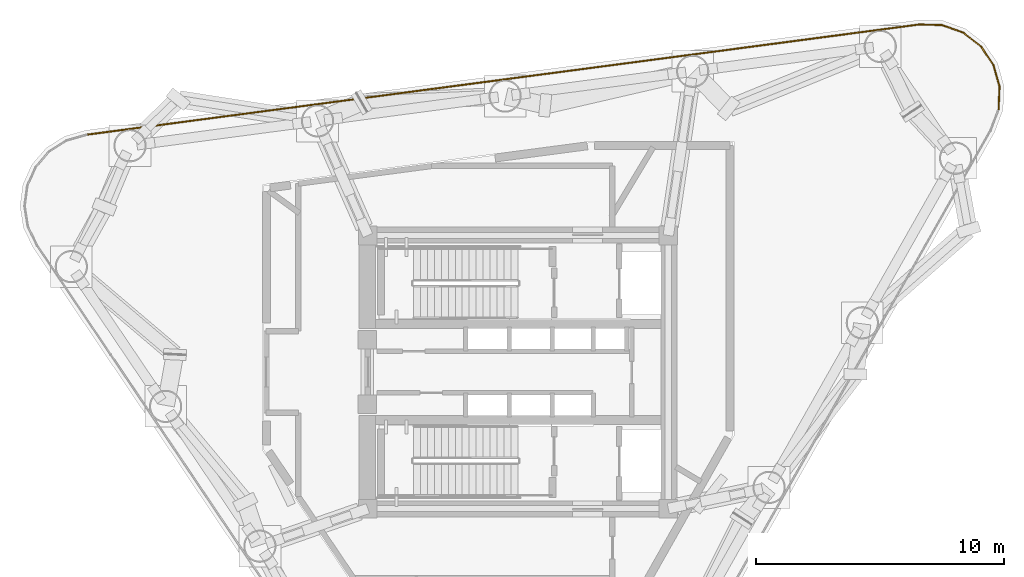
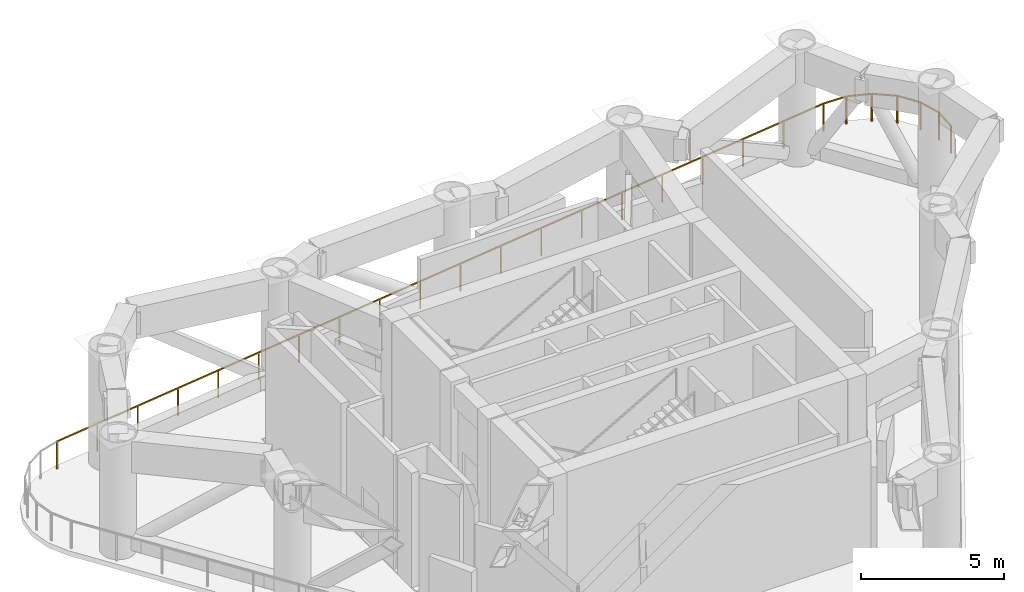
# One storey, part 10 of 10: 7 railings.
"""IFC4 building model written with IfcOpenShell, lengths in metres."""

from ifc_helpers import new_model, si_unit, direction, frame, origin, origin_2d, place, context, subcontext, project, spatial, rectangle, extrude, material, type_object, element, save


model = new_model("IFC4")

# Units and contexts
model_context = context("Model", 3, precision=1e-05, world=origin(), true_north=direction((0.0, 1.0)))
body_context = subcontext(model_context, "Body", "Model", "MODEL_VIEW")
ifc_project = project(units=[si_unit("LENGTHUNIT", "METRE"), si_unit("AREAUNIT", "SQUARE_METRE"), si_unit("VOLUMEUNIT", "CUBIC_METRE"), si_unit("PLANEANGLEUNIT", "RADIAN"), si_unit("MASSUNIT", "GRAM", prefix="KILO")], contexts=[model_context])

# Site, building, storey
site_placement = place(None, origin())
site = spatial("IfcSite", under=ifc_project, at=site_placement, CompositionType="ELEMENT")
building_placement = place(site_placement, origin())
building = spatial("IfcBuilding", under=site, at=building_placement, Name="Yunling Apex Tower", CompositionType="ELEMENT")
storey_placement = place(building_placement, frame((0.0, 0.0, 186.35009765625)))
storey = spatial("IfcBuildingStorey", under=building, at=storey_placement, Name="RF5", CompositionType="ELEMENT", Elevation=186.35009765625)

# Railings
ifc_material = material(Name="Bronze anodised aluminium", Category="aluminium")
railing_type = type_object("IfcRailingType", Name="RL-BAL-1200", PredefinedType="BALUSTRADE", material=ifc_material)
railing_1_placement = place(storey_placement, frame((-17.400390625, 9.555908203125, 0.0)))
element("IfcRailing", 1, at=railing_1_placement, inside=storey, type_object=railing_type, Name="RL-REF-RF5-09", PredefinedType="BALUSTRADE", context=body_context, shape_type="SweptSolid", body=[
    extrude(rectangle(XDim=0.0439453125, YDim=0.0439453125, at=origin_2d()), origin(), (0.0, 0.0, 1.0), 1.199951171875),
    extrude(rectangle(XDim=0.0439453125, YDim=0.0439453125, at=origin_2d()), frame((33.578857421875, 4.444580078125, 0.0)), (0.0, 0.0, 1.0), 1.199951171875),
    extrude(rectangle(XDim=0.050048828125, YDim=0.050048828125, at=origin_2d()), frame((0.0380859375, 0.005126953125, 1.1748046875), z_axis=(0.991353538859, 0.131217990351, 0.0), x_axis=(-0.131217990351, 0.991353538859, 0.0)), (0.0, 0.0, 1.0), 33.795166015625),
    extrude(rectangle(XDim=0.0439453125, YDim=0.0439453125, at=origin_2d()), frame((1.767333984375, 0.23388671875, 0.0)), (0.0, 0.0, 1.0), 1.14599609375),
    extrude(rectangle(XDim=0.0439453125, YDim=0.0439453125, at=origin_2d()), frame((3.53466796875, 0.4677734375, 0.0)), (0.0, 0.0, 1.0), 1.14599609375),
    extrude(rectangle(XDim=0.0439453125, YDim=0.0439453125, at=origin_2d()), frame((5.302001953125, 0.70166015625, 0.0)), (0.0, 0.0, 1.0), 1.14599609375),
    extrude(rectangle(XDim=0.0439453125, YDim=0.0439453125, at=origin_2d()), frame((7.0693359375, 0.935791015625, 0.0)), (0.0, 0.0, 1.0), 1.14599609375),
    extrude(rectangle(XDim=0.0439453125, YDim=0.0439453125, at=origin_2d()), frame((8.83642578125, 1.169677734375, 0.0)), (0.0, 0.0, 1.0), 1.14599609375),
    extrude(rectangle(XDim=0.0439453125, YDim=0.0439453125, at=origin_2d()), frame((10.603759765625, 1.403564453125, 0.0)), (0.0, 0.0, 1.0), 1.14599609375),
    extrude(rectangle(XDim=0.0439453125, YDim=0.0439453125, at=origin_2d()), frame((12.37109375, 1.637451171875, 0.0)), (0.0, 0.0, 1.0), 1.14599609375),
    extrude(rectangle(XDim=0.0439453125, YDim=0.0439453125, at=origin_2d()), frame((14.138427734375, 1.871337890625, 0.0)), (0.0, 0.0, 1.0), 1.14599609375),
    extrude(rectangle(XDim=0.0439453125, YDim=0.0439453125, at=origin_2d()), frame((15.90576171875, 2.105224609375, 0.0)), (0.0, 0.0, 1.0), 1.14599609375),
    extrude(rectangle(XDim=0.0439453125, YDim=0.0439453125, at=origin_2d()), frame((17.673095703125, 2.33935546875, 0.0)), (0.0, 0.0, 1.0), 1.14599609375),
    extrude(rectangle(XDim=0.0439453125, YDim=0.0439453125, at=origin_2d()), frame((19.4404296875, 2.5732421875, 0.0)), (0.0, 0.0, 1.0), 1.14599609375),
    extrude(rectangle(XDim=0.0439453125, YDim=0.0439453125, at=origin_2d()), frame((21.207763671875, 2.80712890625, 0.0)), (0.0, 0.0, 1.0), 1.14599609375),
    extrude(rectangle(XDim=0.0439453125, YDim=0.0439453125, at=origin_2d()), frame((22.97509765625, 3.041015625, 0.0)), (0.0, 0.0, 1.0), 1.14599609375),
    extrude(rectangle(XDim=0.0439453125, YDim=0.0439453125, at=origin_2d()), frame((24.742431640625, 3.27490234375, 0.0)), (0.0, 0.0, 1.0), 1.14599609375),
    extrude(rectangle(XDim=0.0439453125, YDim=0.0439453125, at=origin_2d()), frame((26.509521484375, 3.5087890625, 0.0)), (0.0, 0.0, 1.0), 1.14599609375),
    extrude(rectangle(XDim=0.0439453125, YDim=0.0439453125, at=origin_2d()), frame((28.27685546875, 3.742919921875, 0.0)), (0.0, 0.0, 1.0), 1.14599609375),
    extrude(rectangle(XDim=0.0439453125, YDim=0.0439453125, at=origin_2d()), frame((30.044189453125, 3.976806640625, 0.0)), (0.0, 0.0, 1.0), 1.14599609375),
    extrude(rectangle(XDim=0.0439453125, YDim=0.0439453125, at=origin_2d()), frame((31.8115234375, 4.210693359375, 0.0)), (0.0, 0.0, 1.0), 1.14599609375),
])
railing_2_placement = place(storey_placement, frame((16.148681640625, 13.9990234375, 0.0)))
element("IfcRailing", 2, at=railing_2_placement, inside=storey, type_object=railing_type, Name="RL-REF-RF5-10", PredefinedType="BALUSTRADE", context=body_context, shape_type="SweptSolid", body=[
    extrude(rectangle(XDim=0.0439453125, YDim=0.0439453125, at=origin_2d()), origin(), (0.0, 0.0, 1.0), 1.199951171875),
    extrude(rectangle(XDim=0.0439453125, YDim=0.0439453125, at=origin_2d()), frame((0.94580078125, -0.025390625, 0.0)), (0.0, 0.0, 1.0), 1.199951171875),
    extrude(rectangle(XDim=0.050048828125, YDim=0.050048828125, at=origin_2d()), frame((0.038330078125, -0.0009765625, 1.1748046875), z_axis=(0.999639850526, -0.026835969142, 0.0), x_axis=(0.026835969142, 0.999639850526, 0.0)), (0.0, 0.0, 1.0), 0.869384765625),
])
railing_3_placement = place(storey_placement, frame((17.0654296875, 13.97900390625, 0.0)))
element("IfcRailing", 3, at=railing_3_placement, inside=storey, type_object=railing_type, Name="RL-REF-RF5-11", PredefinedType="BALUSTRADE", context=body_context, shape_type="SweptSolid", body=[
    extrude(rectangle(XDim=0.0439453125, YDim=0.0439453125, at=origin_2d()), origin(), (0.0, 0.0, 1.0), 1.199951171875),
    extrude(rectangle(XDim=0.0439453125, YDim=0.0439453125, at=origin_2d()), frame((0.877197265625, -0.313720703125, 0.0)), (0.0, 0.0, 1.0), 1.199951171875),
    extrude(rectangle(XDim=0.050048828125, YDim=0.050048828125, at=origin_2d()), frame((0.0361328125, -0.012939453125, 1.1748046875), z_axis=(0.941593594268, -0.336751396781, 0.0), x_axis=(0.336751396781, 0.941593594268, 0.0)), (0.0, 0.0, 1.0), 0.85498046875),
])
railing_4_placement = place(storey_placement, frame((17.91650390625, 13.679443359375, 0.0)))
element("IfcRailing", 4, at=railing_4_placement, inside=storey, type_object=railing_type, Name="RL-REF-RF5-12", PredefinedType="BALUSTRADE", context=body_context, shape_type="SweptSolid", body=[
    extrude(rectangle(XDim=0.0439453125, YDim=0.0439453125, at=origin_2d()), origin(), (0.0, 0.0, 1.0), 1.199951171875),
    extrude(rectangle(XDim=0.0439453125, YDim=0.0439453125, at=origin_2d()), frame((0.73583984375, -0.571533203125, 0.0)), (0.0, 0.0, 1.0), 1.199951171875),
    extrude(rectangle(XDim=0.050048828125, YDim=0.050048828125, at=origin_2d()), frame((0.0302734375, -0.0234375, 1.1748046875), z_axis=(0.78976121344, -0.613414399689, 0.0), x_axis=(0.613414399689, 0.78976121344, 0.0)), (0.0, 0.0, 1.0), 0.85498046875),
])
railing_5_placement = place(storey_placement, frame((18.632080078125, 13.12939453125, 0.0)))
element("IfcRailing", 5, at=railing_5_placement, inside=storey, type_object=railing_type, Name="RL-REF-RF5-13", PredefinedType="BALUSTRADE", context=body_context, shape_type="SweptSolid", body=[
    extrude(rectangle(XDim=0.0439453125, YDim=0.0439453125, at=origin_2d()), origin(), (0.0, 0.0, 1.0), 1.199951171875),
    extrude(rectangle(XDim=0.0439453125, YDim=0.0439453125, at=origin_2d()), frame((0.52099609375, -0.772216796875, 0.0)), (0.0, 0.0, 1.0), 1.199951171875),
    extrude(rectangle(XDim=0.050048828125, YDim=0.050048828125, at=origin_2d()), frame((0.021484375, -0.03173828125, 1.1748046875), z_axis=(0.559288290443, -0.828973225245, 0.0), x_axis=(0.828973225245, 0.559288290443, 0.0)), (0.0, 0.0, 1.0), 0.85498046875),
])
railing_6_placement = place(storey_placement, frame((19.140625, 12.3837890625, 0.0)))
element("IfcRailing", 6, at=railing_6_placement, inside=storey, type_object=railing_type, Name="RL-REF-RF5-14", PredefinedType="BALUSTRADE", context=body_context, shape_type="SweptSolid", body=[
    extrude(rectangle(XDim=0.0439453125, YDim=0.0439453125, at=origin_2d()), origin(), (0.0, 0.0, 1.0), 1.199951171875),
    extrude(rectangle(XDim=0.0439453125, YDim=0.0439453125, at=origin_2d()), frame((0.25439453125, -0.896240234375, 0.0)), (0.0, 0.0, 1.0), 1.199951171875),
    extrude(rectangle(XDim=0.050048828125, YDim=0.050048828125, at=origin_2d()), frame((0.010498046875, -0.036865234375, 1.1748046875), z_axis=(0.273059399648, -0.961997174769, 0.0), x_axis=(0.961997174769, 0.273059399648, 0.0)), (0.0, 0.0, 1.0), 0.85498046875),
])
railing_7_placement = place(storey_placement, frame((19.3916015625, 11.51708984375, 0.0)))
element("IfcRailing", 7, at=railing_7_placement, inside=storey, type_object=railing_type, Name="RL-REF-RF5-15", PredefinedType="BALUSTRADE", context=body_context, shape_type="SweptSolid", body=[
    extrude(rectangle(XDim=0.0439453125, YDim=0.0439453125, at=origin_2d()), origin(), (0.0, 0.0, 1.0), 1.199951171875),
    extrude(rectangle(XDim=0.0439453125, YDim=0.0439453125, at=origin_2d()), frame((-0.03759765625, -0.930908203125, 0.0)), (0.0, 0.0, 1.0), 1.199951171875),
    extrude(rectangle(XDim=0.050048828125, YDim=0.050048828125, at=origin_2d()), frame((-0.00146484375, -0.038330078125, 1.1748046875), z_axis=(-0.040355245443, -0.999185395292, 0.0), x_axis=(0.999185395292, -0.040355245443, 0.0)), (0.0, 0.0, 1.0), 0.85498046875),
])

save(model, "model.ifc")
